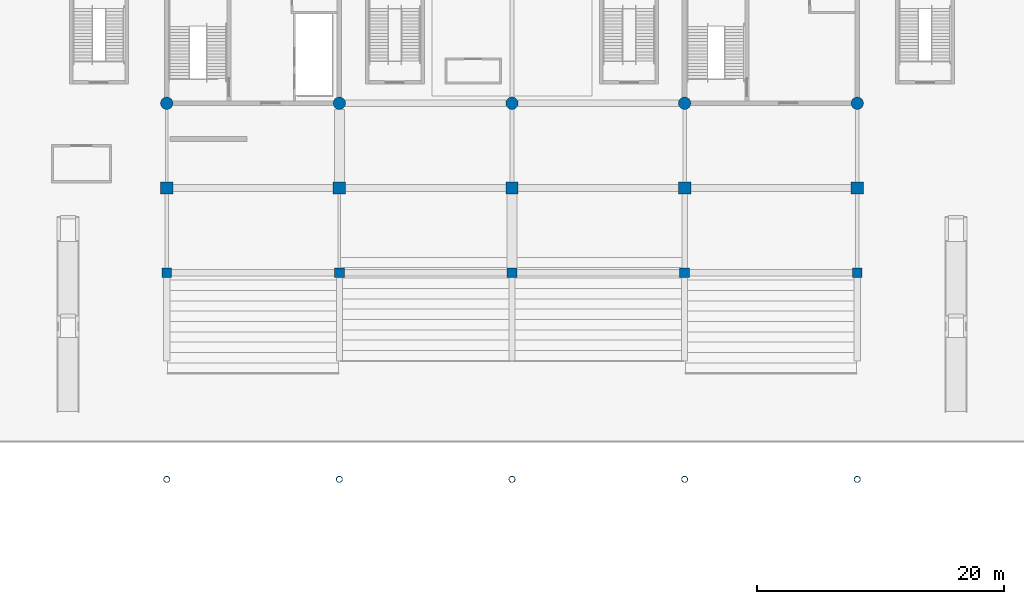
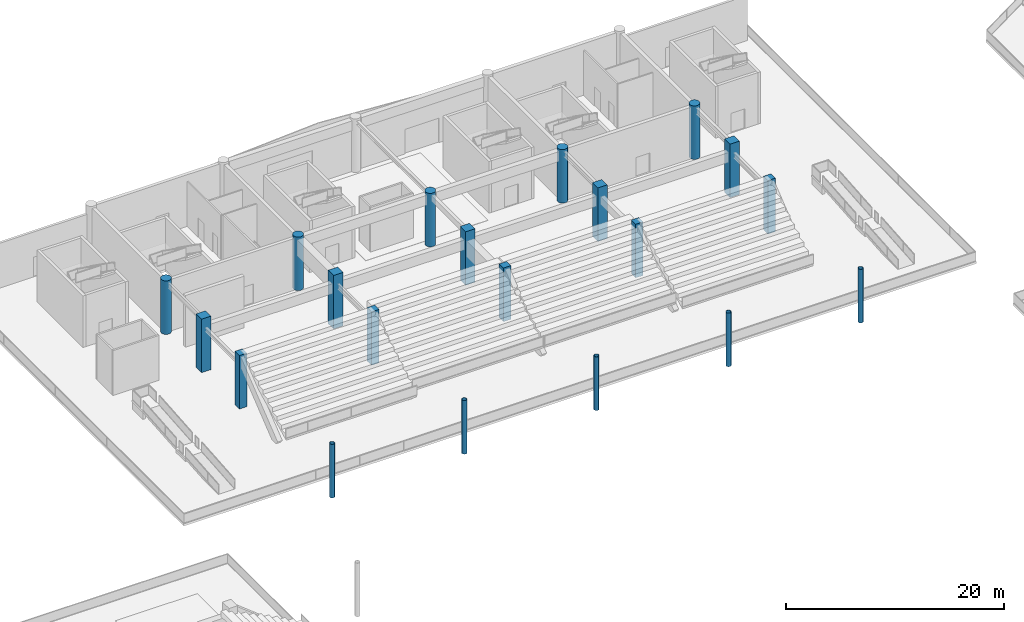
# One storey, part 18 of 73: 20 columns.
"""IFC4 building model written with IfcOpenShell, lengths in metres."""

from ifc_helpers import new_model, si_unit, direction, frame, origin, origin_2d, place, context, subcontext, project, spatial, rectangle, circle, hollow_circle, extrude, material, material_profile, profile_set, type_object, element, save


model = new_model("IFC4")

# Units and contexts
model_context = context("Model", 3, precision=1e-05, world=origin(), true_north=direction((0.0, 1.0)))
body_context = subcontext(model_context, "Body", "Model", "MODEL_VIEW")
ifc_project = project(units=[si_unit("LENGTHUNIT", "METRE"), si_unit("AREAUNIT", "SQUARE_METRE"), si_unit("VOLUMEUNIT", "CUBIC_METRE"), si_unit("PLANEANGLEUNIT", "RADIAN"), si_unit("MASSUNIT", "GRAM", prefix="KILO")], contexts=[model_context])

# Site, building, storey
site_placement = place(None, origin())
site = spatial("IfcSite", under=ifc_project, at=site_placement, CompositionType="ELEMENT")
building_placement = place(site_placement, origin())
building = spatial("IfcBuilding", under=site, at=building_placement, Name="Linyun Crest Stadium", CompositionType="ELEMENT")
storey_placement = place(building_placement, origin())
storey = spatial("IfcBuildingStorey", under=building, at=storey_placement, Name="L01", CompositionType="ELEMENT", Elevation=0.0)

# Columns
ifc_material_1 = material(Name="Concrete C50", Category="concrete")
ifc_material_profile_1 = material_profile(ifc_material_1, rectangle(XDim=0.800048828125, YDim=0.800048828125, at=origin_2d()), Name="RC 800x800")
ifc_profile_set_1 = profile_set([ifc_material_profile_1], Name="Concrete C50")
column_type_1 = type_object("IfcColumnType", Name="C03", PredefinedType="COLUMN", material=ifc_profile_set_1)
for number, where, z_axis, x_axis, name in (
    (1, (-28.0, 77.75, 0.0), (0.0, 0.0, 1.0), (1.0, 0.0, 0.0), "Column C03 L01 571"),
    (2, (-14.0, 77.75, 0.0), (0.0, 0.0, 1.0), (1.0, 0.0, 0.0), "Column C03 L01 592"),
    (3, (0.0, 77.75, 0.0), (0.0, 0.0, 1.0), (1.0, 0.0, 0.0), "Column C03 L01 613"),
    (4, (14.0, 77.75, 0.0), (0.0, 0.0, 1.0), (1.0, 0.0, 0.0), "Column C03 L01 634"),
    (5, (28.0, 77.75, 0.0), (0.0, 0.0, 1.0), (1.0, 0.0, 0.0), "Column C03 L01 655"),
):
    element("IfcColumn", number, at=place(storey_placement, frame(where, z_axis=z_axis, x_axis=x_axis)), inside=storey, type_object=column_type_1, Name=name, PredefinedType="COLUMN", context=body_context, shape_type="SweptSolid", body=[
        extrude(rectangle(XDim=0.800048828125, YDim=0.800048828125, at=origin_2d()), origin(), (0.0, 0.0, 1.0), 6.0),
    ])
ifc_material_2 = material(Name="Concrete C50", Category="concrete")
ifc_material_profile_2 = material_profile(ifc_material_2, rectangle(XDim=1.0, YDim=1.0, at=origin_2d()), Name="RC 1000x1000")
ifc_profile_set_2 = profile_set([ifc_material_profile_2], Name="Concrete C50")
column_type_2 = type_object("IfcColumnType", Name="C05", PredefinedType="COLUMN", material=ifc_profile_set_2)
for number, where, z_axis, x_axis, name in (
    (6, (-28.0, 84.625, 0.0), (0.0, 0.0, 1.0), (1.0, 0.0, 0.0), "Column C05 L01 573"),
    (7, (-14.0, 84.625, 0.0), (0.0, 0.0, 1.0), (1.0, 0.0, 0.0), "Column C05 L01 594"),
    (8, (0.0, 84.625, 0.0), (0.0, 0.0, 1.0), (1.0, 0.0, 0.0), "Column C05 L01 615"),
    (9, (14.0, 84.625, 0.0), (0.0, 0.0, 1.0), (1.0, 0.0, 0.0), "Column C05 L01 636"),
    (10, (28.0, 84.625, 0.0), (0.0, 0.0, 1.0), (1.0, 0.0, 0.0), "Column C05 L01 657"),
):
    element("IfcColumn", number, at=place(storey_placement, frame(where, z_axis=z_axis, x_axis=x_axis)), inside=storey, type_object=column_type_2, Name=name, PredefinedType="COLUMN", context=body_context, shape_type="SweptSolid", body=[
        extrude(rectangle(XDim=1.0, YDim=1.0, at=origin_2d()), origin(), (0.0, 0.0, 1.0), 5.998046875),
    ])
ifc_material_3 = material(Name="Concrete C50", Category="concrete")
ifc_material_profile_3 = material_profile(ifc_material_3, circle(Radius=0.5, at=origin_2d()), Name="RC D1000")
ifc_profile_set_3 = profile_set([ifc_material_profile_3], Name="Concrete C50")
column_type_3 = type_object("IfcColumnType", Name="C09", PredefinedType="COLUMN", material=ifc_profile_set_3)
for number, where, z_axis, x_axis, name in (
    (11, (-28.0, 91.5, 0.0), (0.0, 0.0, 1.0), (1.0, 0.0, 0.0), "Column C09 L01 579"),
    (12, (-14.0, 91.5, 0.0), (0.0, 0.0, 1.0), (1.0, 0.0, 0.0), "Column C09 L01 600"),
    (13, (0.0, 91.5, 0.0), (0.0, 0.0, 1.0), (1.0, 0.0, 0.0), "Column C09 L01 621"),
    (14, (14.0, 91.5, 0.0), (0.0, 0.0, 1.0), (1.0, 0.0, 0.0), "Column C09 L01 642"),
    (15, (28.0, 91.5, 0.0), (0.0, 0.0, 1.0), (1.0, 0.0, 0.0), "Column C09 L01 663"),
):
    element("IfcColumn", number, at=place(storey_placement, frame(where, z_axis=z_axis, x_axis=x_axis)), inside=storey, type_object=column_type_3, Name=name, PredefinedType="COLUMN", context=body_context, shape_type="SweptSolid", body=[
        extrude(circle(Radius=0.5, at=origin_2d()), origin(), (0.0, 0.0, 1.0), 5.998046875),
    ])
ifc_material_4 = material(Name="Steel Q355C", Category="steel")
ifc_material_profile_4 = material_profile(ifc_material_4, hollow_circle(Radius=0.25390625, WallThickness=0.02490234375, at=origin_2d()), Name="CHS 508x25")
ifc_profile_set_4 = profile_set([ifc_material_profile_4], Name="Steel Q355C")
column_type_4 = type_object("IfcColumnType", Name="SC05", PredefinedType="COLUMN", material=ifc_profile_set_4)
for number, where, z_axis, x_axis, name in (
    (16, (-28.0, 61.0, 0.0), (0.0, 0.0, 1.0), (1.0, 0.0, 0.0), "Arch colonnade column SC05 L01 34"),
    (17, (-14.0, 61.0, 0.0), (0.0, 0.0, 1.0), (1.0, 0.0, 0.0), "Arch colonnade column SC05 L01 36"),
    (18, (0.0, 61.0, 0.0), (0.0, 0.0, 1.0), (1.0, 0.0, 0.0), "Arch colonnade column SC05 L01 38"),
    (19, (14.0, 61.0, 0.0), (0.0, 0.0, 1.0), (1.0, 0.0, 0.0), "Arch colonnade column SC05 L01 40"),
    (20, (28.0, 61.0, 0.0), (0.0, 0.0, 1.0), (1.0, 0.0, 0.0), "Arch colonnade column SC05 L01 42"),
):
    element("IfcColumn", number, at=place(storey_placement, frame(where, z_axis=z_axis, x_axis=x_axis)), inside=storey, type_object=column_type_4, Name=name, PredefinedType="COLUMN", context=body_context, shape_type="SweptSolid", body=[
        extrude(hollow_circle(Radius=0.25390625, WallThickness=0.02490234375, at=origin_2d()), origin(), (0.0, 0.0, 1.0), 6.0),
    ])

save(model, "model.ifc")
